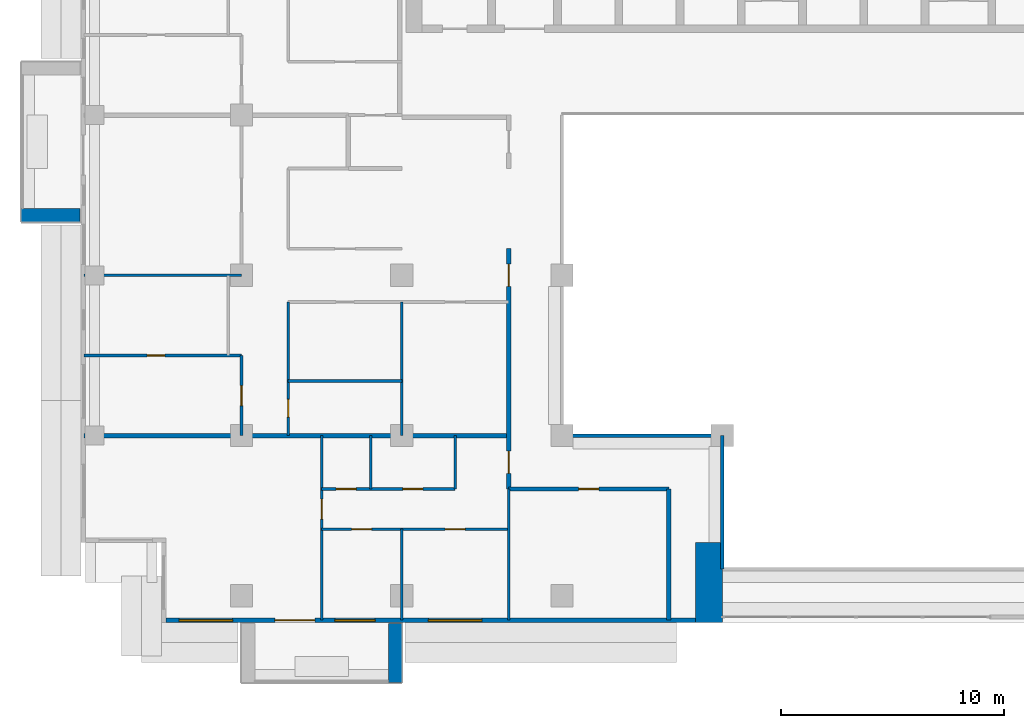
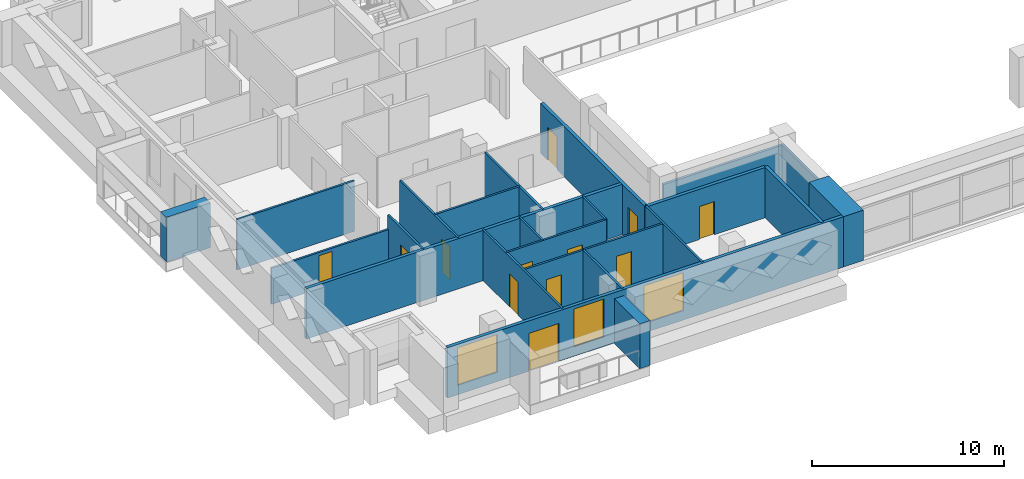
# One storey, part 6 of 20: 23 walls, 12 doors, 3 windows, 15 openings.
"""IFC4 building model written with IfcOpenShell, lengths in metres."""

from ifc_helpers import new_model, si_unit, direction, frame, frame_2d, origin, place, context, subcontext, project, spatial, rectangle, extrude, material, layer, layer_set, type_object, element, fill, save


model = new_model("IFC4")

# Units and contexts
model_context = context("Model", 3, precision=1e-05, world=origin(), true_north=direction((0.0, 1.0)))
body_context = subcontext(model_context, "Body", "Model", "MODEL_VIEW")
ifc_project = project(units=[si_unit("LENGTHUNIT", "METRE"), si_unit("AREAUNIT", "SQUARE_METRE"), si_unit("VOLUMEUNIT", "CUBIC_METRE"), si_unit("PLANEANGLEUNIT", "RADIAN"), si_unit("MASSUNIT", "GRAM", prefix="KILO")], contexts=[model_context])

# Site, building, storey
site_placement = place(None, origin())
site = spatial("IfcSite", under=ifc_project, at=site_placement, CompositionType="ELEMENT")
building_placement = place(site_placement, origin())
building = spatial("IfcBuilding", under=site, at=building_placement, Name="Saffron Iwan Residences", CompositionType="ELEMENT")
storey_placement = place(building_placement, frame((0.0, 0.0, 167.5)))
storey = spatial("IfcBuildingStorey", under=building, at=storey_placement, Name="L44", CompositionType="ELEMENT", Elevation=167.5)

# Walls
ifc_material_1 = material(Name="Fire-rated glazing", Category="glass")
ifc_layer_1 = layer(ifc_material_1, 0.14990234375)
ifc_layer_set_1 = layer_set([ifc_layer_1], Name="Fire-rated glazing")
wall_type_1 = type_object("IfcWallType", Name="Atrium glazed screen 150", PredefinedType="SOLIDWALL", material=ifc_layer_set_1)
wall_1_placement = place(storey_placement, frame((36.0, 48.0, 0.0), z_axis=(0.0, 0.0, 1.0), x_axis=(1.0, 0.0, 0.0)))
element("IfcWall", 1, at=wall_1_placement, inside=storey, type_object=wall_type_1, Name="W-L44-SCREEN-h48-36", PredefinedType="SOLIDWALL", context=body_context, shape_type="SweptSolid", body=[
    extrude(rectangle(XDim=7.199951171875, YDim=0.14990234375, at=frame_2d((3.60009765625, 0.0))), origin(), (0.0, 0.0, 1.0), 2.300048828125),
])
wall_2_placement = place(storey_placement, frame((43.199951171875, 42.0, 0.0), z_axis=(0.0, 0.0, 1.0), x_axis=(0.0, 1.0, 0.0)))
element("IfcWall", 2, at=wall_2_placement, inside=storey, type_object=wall_type_1, Name="W-L44-SCREEN-v43.2-42", PredefinedType="SOLIDWALL", context=body_context, shape_type="SweptSolid", body=[
    extrude(rectangle(XDim=6.0, YDim=0.14990234375, at=frame_2d((3.0, 0.0))), origin(), (0.0, 0.0, 1.0), 2.300048828125),
])
ifc_material_2 = material(Name="Concrete C50/60 white painted", Category="concrete")
ifc_layer_2 = layer(ifc_material_2, 0.60009765625)
ifc_layer_set_2 = layer_set([ifc_layer_2], Name="Concrete C50/60 white painted")
wall_type_2 = type_object("IfcWallType", Name="BALCONY FIN 600", PredefinedType="SOLIDWALL", material=ifc_layer_set_2)
for number, where, z_axis, x_axis, name in (
    (3, (14.35009765625, 57.89990234375, 0.0), (0.0, 0.0, 1.0), (-1.0, 0.0, 0.0), "Balcony fin L44 F8-0b"),
    (4, (28.5, 39.550048828125, 0.0), (0.0, 0.0, 1.0), (0.0, -1.0, 0.0), "Balcony fin L44 11-0b"),
):
    element("IfcWall", number, at=place(storey_placement, frame(where, z_axis=z_axis, x_axis=x_axis)), inside=storey, type_object=wall_type_2, Name=name, PredefinedType="SOLIDWALL", context=body_context, shape_type="SweptSolid", body=[
        extrude(rectangle(XDim=2.650146484375, YDim=0.60009765625, at=frame_2d((1.3251953125, 0.0))), origin(), (0.0, 0.0, 1.0), 2.85009765625),
    ])

# Wall, openings, door, windows
ifc_material_3 = material(Name="Concrete C40/50", Category="concrete")
ifc_layer_3 = layer(ifc_material_3, 0.199951171875)
ifc_layer_set_3 = layer_set([ifc_layer_3], Name="Concrete C40/50")
wall_type_3 = type_object("IfcWallType", Name="EXTERNAL WALL 200", PredefinedType="SOLIDWALL", material=ifc_layer_set_3)
wall_3_placement = place(storey_placement, frame((18.199951171875, 39.699951171875, 0.0), z_axis=(0.0, 0.0, 1.0), x_axis=(1.0, 0.0, 0.0)))
wall_3 = element("IfcWall", 5, at=wall_3_placement, inside=storey, type_object=wall_type_3, Name="External wall L44 F11.0", PredefinedType="SOLIDWALL", context=body_context, shape_type="SweptSolid", body=[
    extrude(rectangle(XDim=23.800048828125, YDim=0.199951171875, at=frame_2d((11.89990234375, 0.0))), origin(), (0.0, 0.0, 1.0), 3.199951171875),
])
opening_1_placement = place(wall_3_placement, frame((4.89990234375, 0.0, 0.0)))
opening_1 = element("IfcOpeningElement", 6, at=opening_1_placement, cuts=wall_3, Name="Opening BD1", PredefinedType="OPENING", context=body_context, shape_type="SweptSolid", body=[
    extrude(rectangle(XDim=1.800048828125, YDim=2.39990234375, at=frame_2d((0.89990234375, 1.199951171875))), frame((0.0, 0.10986328125, 0.0), z_axis=(0.0, -1.0, 0.0), x_axis=(1.0, 0.0, 0.0)), (0.0, 0.0, 1.0), 0.219970703125),
])
opening_2_placement = place(wall_3_placement, frame((0.60009765625, 0.0, 0.60009765625)))
opening_2 = element("IfcOpeningElement", 7, at=opening_2_placement, cuts=wall_3, Name="Opening W1", PredefinedType="OPENING", context=body_context, shape_type="SweptSolid", body=[
    extrude(rectangle(XDim=2.39990234375, YDim=2.39990234375, at=frame_2d((1.199951171875, 1.199951171875))), frame((0.0, 0.10986328125, 0.0), z_axis=(0.0, -1.0, 0.0), x_axis=(1.0, 0.0, 0.0)), (0.0, 0.0, 1.0), 0.219970703125),
])
opening_3_placement = place(wall_3_placement, frame((7.60009765625, 0.0, 0.60009765625)))
opening_3 = element("IfcOpeningElement", 8, at=opening_3_placement, cuts=wall_3, Name="Opening W8", PredefinedType="OPENING", context=body_context, shape_type="SweptSolid", body=[
    extrude(rectangle(XDim=1.800048828125, YDim=2.39990234375, at=frame_2d((0.89990234375, 1.199951171875))), frame((0.0, 0.10986328125, 0.0), z_axis=(0.0, -1.0, 0.0), x_axis=(1.0, 0.0, 0.0)), (0.0, 0.0, 1.0), 0.219970703125),
])
opening_4_placement = place(wall_3_placement, frame((11.800048828125, 0.0, 0.60009765625)))
opening_4 = element("IfcOpeningElement", 9, at=opening_4_placement, cuts=wall_3, Name="Opening W1", PredefinedType="OPENING", context=body_context, shape_type="SweptSolid", body=[
    extrude(rectangle(XDim=2.39990234375, YDim=2.39990234375, at=frame_2d((1.199951171875, 1.199951171875))), frame((0.0, 0.10986328125, 0.0), z_axis=(0.0, -1.0, 0.0), x_axis=(1.0, 0.0, 0.0)), (0.0, 0.0, 1.0), 0.219970703125),
])
ifc_material_4 = material(Name="Clear glass, laminated double glazed", Category="glass")
door_type_1 = type_object("IfcDoorType", Name="BALCONY DOOR 1800 x 2400", OperationType="DOUBLE_DOOR_SLIDING", PredefinedType="DOOR", material=ifc_material_4)
door_1_placement = place(opening_1_placement, origin())
door_1 = element("IfcDoor", 10, at=door_1_placement, inside=storey, type_object=door_type_1, Name="Balcony door L44 F11.0", OperationType="DOUBLE_DOOR_SLIDING", OverallHeight=2.39990234375, OverallWidth=1.800048828125, PredefinedType="DOOR", context=body_context, shape_type="SweptSolid", body=[
    extrude(rectangle(XDim=1.800048828125, YDim=2.39990234375, at=frame_2d((0.89990234375, 1.199951171875))), frame((0.0, 0.02490234375, 0.0), z_axis=(0.0, -1.0, 0.0), x_axis=(1.0, 0.0, 0.0)), (0.0, 0.0, 1.0), 0.050048828125),
])
fill(opening_1, door_1)
window_type_1 = type_object("IfcWindowType", Name="WINDOW 1800 x 2400", PartitioningType="DOUBLE_PANEL_VERTICAL", PredefinedType="WINDOW", material=ifc_material_4)
window_1_placement = place(opening_3_placement, origin())
window_1 = element("IfcWindow", 11, at=window_1_placement, inside=storey, type_object=window_type_1, Name="Window L44 F11.2", OverallHeight=2.39990234375, OverallWidth=1.800048828125, PartitioningType="DOUBLE_PANEL_VERTICAL", PredefinedType="WINDOW", context=body_context, shape_type="SweptSolid", body=[
    extrude(rectangle(XDim=1.800048828125, YDim=2.39990234375, at=frame_2d((0.89990234375, 1.199951171875))), frame((0.0, 0.030029296875, 0.0), z_axis=(0.0, -1.0, 0.0), x_axis=(1.0, 0.0, 0.0)), (0.0, 0.0, 1.0), 0.06005859375),
])
fill(opening_3, window_1)
window_type_2 = type_object("IfcWindowType", Name="WINDOW 2400 x 2400", PartitioningType="DOUBLE_PANEL_VERTICAL", PredefinedType="WINDOW", material=ifc_material_4)
window_2_placement = place(opening_2_placement, origin())
window_2 = element("IfcWindow", 12, at=window_2_placement, inside=storey, type_object=window_type_2, Name="Window L44 F11.1", OverallHeight=2.39990234375, OverallWidth=2.39990234375, PartitioningType="DOUBLE_PANEL_VERTICAL", PredefinedType="WINDOW", context=body_context, shape_type="SweptSolid", body=[
    extrude(rectangle(XDim=2.39990234375, YDim=2.39990234375, at=frame_2d((1.199951171875, 1.199951171875))), frame((0.0, 0.030029296875, 0.0), z_axis=(0.0, -1.0, 0.0), x_axis=(1.0, 0.0, 0.0)), (0.0, 0.0, 1.0), 0.06005859375),
])
fill(opening_2, window_2)
window_3_placement = place(opening_4_placement, origin())
window_3 = element("IfcWindow", 13, at=window_3_placement, inside=storey, type_object=window_type_2, Name="Window L44 F11.3", OverallHeight=2.39990234375, OverallWidth=2.39990234375, PartitioningType="DOUBLE_PANEL_VERTICAL", PredefinedType="WINDOW", context=body_context, shape_type="SweptSolid", body=[
    extrude(rectangle(XDim=2.39990234375, YDim=2.39990234375, at=frame_2d((1.199951171875, 1.199951171875))), frame((0.0, 0.030029296875, 0.0), z_axis=(0.0, -1.0, 0.0), x_axis=(1.0, 0.0, 0.0)), (0.0, 0.0, 1.0), 0.06005859375),
])
fill(opening_4, window_3)

# Wall
ifc_material_5 = material(Name="Fire-rated gypsum board wall")
ifc_layer_4 = layer(ifc_material_5, 0.199951171875)
ifc_layer_set_4 = layer_set([ifc_layer_4], Name="Fire-rated gypsum board wall")
wall_type_4 = type_object("IfcWallType", Name="Flat demising wall 200", PredefinedType="SOLIDWALL", material=ifc_layer_set_4)
wall_4_placement = place(storey_placement, frame((14.52490234375, 48.0, 0.0), z_axis=(0.0, 0.0, 1.0), x_axis=(1.0, 0.0, 0.0)))
element("IfcWall", 14, at=wall_4_placement, inside=storey, type_object=wall_type_4, Name="W-L44-DEMISE-h48-14.525", PredefinedType="SOLIDWALL", context=body_context, shape_type="SweptSolid", body=[
    extrude(rectangle(XDim=19.0751953125, YDim=0.199951171875, at=frame_2d((9.53759765625, 0.0))), origin(), (0.0, 0.0, 1.0), 3.199951171875),
])

# Wall, openings, doors
ifc_material_6 = material(Name="Gypsum board partition")
ifc_layer_5 = layer(ifc_material_6, 0.1201171875)
ifc_layer_set_5 = layer_set([ifc_layer_5], Name="Gypsum board partition")
wall_type_5 = type_object("IfcWallType", Name="Flat partition 120", PredefinedType="PARTITIONING", material=ifc_layer_set_5)
wall_5_placement = place(storey_placement, frame((25.199951171875, 43.800048828125, 0.0), z_axis=(0.0, 0.0, 1.0), x_axis=(1.0, 0.0, 0.0)))
wall_5 = element("IfcWall", 15, at=wall_5_placement, inside=storey, type_object=wall_type_5, Name="W-L44-PART-h43.8-25.2", PredefinedType="PARTITIONING", context=body_context, shape_type="SweptSolid", body=[
    extrude(rectangle(XDim=8.400146484375, YDim=0.1201171875, at=frame_2d((4.2001953125, 0.0))), origin(), (0.0, 0.0, 1.0), 3.199951171875),
])
opening_5_placement = place(wall_5_placement, frame((1.35009765625, 0.0, 0.0)))
opening_5 = element("IfcOpeningElement", 16, at=opening_5_placement, cuts=wall_5, Name="Opening FD2", PredefinedType="OPENING", context=body_context, shape_type="SweptSolid", body=[
    extrude(rectangle(XDim=0.89990234375, YDim=2.10009765625, at=frame_2d((0.449951171875, 1.050048828125))), frame((0.0, 0.070068359375, 0.0), z_axis=(0.0, -1.0, 0.0), x_axis=(1.0, 0.0, 0.0)), (0.0, 0.0, 1.0), 0.14013671875),
])
opening_6_placement = place(wall_5_placement, frame((5.550048828125, 0.0, 0.0)))
opening_6 = element("IfcOpeningElement", 17, at=opening_6_placement, cuts=wall_5, Name="Opening FD2", PredefinedType="OPENING", context=body_context, shape_type="SweptSolid", body=[
    extrude(rectangle(XDim=0.89990234375, YDim=2.10009765625, at=frame_2d((0.449951171875, 1.050048828125))), frame((0.0, 0.070068359375, 0.0), z_axis=(0.0, -1.0, 0.0), x_axis=(1.0, 0.0, 0.0)), (0.0, 0.0, 1.0), 0.14013671875),
])
ifc_material_7 = material(Name="Timber door", Category="wood")
door_type_2 = type_object("IfcDoorType", Name="Flat door 900", OperationType="NOTDEFINED", PredefinedType="DOOR", material=ifc_material_7)
door_2_placement = place(opening_5_placement, origin())
door_2 = element("IfcDoor", 18, at=door_2_placement, inside=storey, type_object=door_type_2, Name="Door L44-003", OperationType="SINGLE_SWING_LEFT", OverallHeight=2.10009765625, OverallWidth=0.89990234375, PredefinedType="DOOR", context=body_context, shape_type="SweptSolid", body=[
    extrude(rectangle(XDim=0.89990234375, YDim=2.10009765625, at=frame_2d((0.449951171875, 1.050048828125))), frame((0.0, 0.02490234375, 0.0), z_axis=(0.0, -1.0, 0.0), x_axis=(1.0, 0.0, 0.0)), (0.0, 0.0, 1.0), 0.050048828125),
])
fill(opening_5, door_2)
door_3_placement = place(opening_6_placement, origin())
door_3 = element("IfcDoor", 19, at=door_3_placement, inside=storey, type_object=door_type_2, Name="Door L44-004", OperationType="SINGLE_SWING_LEFT", OverallHeight=2.10009765625, OverallWidth=0.89990234375, PredefinedType="DOOR", context=body_context, shape_type="SweptSolid", body=[
    extrude(rectangle(XDim=0.89990234375, YDim=2.10009765625, at=frame_2d((0.449951171875, 1.050048828125))), frame((0.0, 0.02490234375, 0.0), z_axis=(0.0, -1.0, 0.0), x_axis=(1.0, 0.0, 0.0)), (0.0, 0.0, 1.0), 0.050048828125),
])
fill(opening_6, door_3)

wall_6_placement = place(storey_placement, frame((25.199951171875, 45.60009765625, 0.0), z_axis=(0.0, 0.0, 1.0), x_axis=(1.0, 0.0, 0.0)))
wall_6 = element("IfcWall", 20, at=wall_6_placement, inside=storey, type_object=wall_type_5, Name="W-L44-PART-h45.6-25.2", PredefinedType="PARTITIONING", context=body_context, shape_type="SweptSolid", body=[
    extrude(rectangle(XDim=6.0, YDim=0.1201171875, at=frame_2d((3.0, 0.0))), origin(), (0.0, 0.0, 1.0), 3.199951171875),
])
opening_7_placement = place(wall_6_placement, frame((0.64990234375, 0.0, 0.0)))
opening_7 = element("IfcOpeningElement", 21, at=opening_7_placement, cuts=wall_6, Name="Opening FD2", PredefinedType="OPENING", context=body_context, shape_type="SweptSolid", body=[
    extrude(rectangle(XDim=0.89990234375, YDim=2.10009765625, at=frame_2d((0.449951171875, 1.050048828125))), frame((0.0, 0.070068359375, 0.0), z_axis=(0.0, -1.0, 0.0), x_axis=(1.0, 0.0, 0.0)), (0.0, 0.0, 1.0), 0.14013671875),
])
opening_8_placement = place(wall_6_placement, frame((3.64990234375, 0.0, 0.0)))
opening_8 = element("IfcOpeningElement", 22, at=opening_8_placement, cuts=wall_6, Name="Opening FD2", PredefinedType="OPENING", context=body_context, shape_type="SweptSolid", body=[
    extrude(rectangle(XDim=0.89990234375, YDim=2.10009765625, at=frame_2d((0.449951171875, 1.050048828125))), frame((0.0, 0.070068359375, 0.0), z_axis=(0.0, -1.0, 0.0), x_axis=(1.0, 0.0, 0.0)), (0.0, 0.0, 1.0), 0.14013671875),
])
door_4_placement = place(opening_7_placement, origin())
door_4 = element("IfcDoor", 23, at=door_4_placement, inside=storey, type_object=door_type_2, Name="Door L44-005", OperationType="SINGLE_SWING_RIGHT", OverallHeight=2.10009765625, OverallWidth=0.89990234375, PredefinedType="DOOR", context=body_context, shape_type="SweptSolid", body=[
    extrude(rectangle(XDim=0.89990234375, YDim=2.10009765625, at=frame_2d((0.449951171875, 1.050048828125))), frame((0.0, 0.02490234375, 0.0), z_axis=(0.0, -1.0, 0.0), x_axis=(1.0, 0.0, 0.0)), (0.0, 0.0, 1.0), 0.050048828125),
])
fill(opening_7, door_4)
door_5_placement = place(opening_8_placement, origin())
door_5 = element("IfcDoor", 24, at=door_5_placement, inside=storey, type_object=door_type_2, Name="Door L44-006", OperationType="SINGLE_SWING_LEFT", OverallHeight=2.10009765625, OverallWidth=0.89990234375, PredefinedType="DOOR", context=body_context, shape_type="SweptSolid", body=[
    extrude(rectangle(XDim=0.89990234375, YDim=2.10009765625, at=frame_2d((0.449951171875, 1.050048828125))), frame((0.0, 0.02490234375, 0.0), z_axis=(0.0, -1.0, 0.0), x_axis=(1.0, 0.0, 0.0)), (0.0, 0.0, 1.0), 0.050048828125),
])
fill(opening_8, door_5)

# Wall
wall_7_placement = place(storey_placement, frame((23.699951171875, 50.449951171875, 0.0), z_axis=(0.0, 0.0, 1.0), x_axis=(1.0, 0.0, 0.0)))
element("IfcWall", 25, at=wall_7_placement, inside=storey, type_object=wall_type_5, Name="W-L44-PART-h50.45-23.7", PredefinedType="PARTITIONING", context=body_context, shape_type="SweptSolid", body=[
    extrude(rectangle(XDim=5.10009765625, YDim=0.1201171875, at=frame_2d((2.550048828125, 0.0))), origin(), (0.0, 0.0, 1.0), 3.199951171875),
])

# Wall, opening, door
wall_8_placement = place(storey_placement, frame((14.52490234375, 51.60009765625, 0.0), z_axis=(0.0, 0.0, 1.0), x_axis=(1.0, 0.0, 0.0)))
wall_8 = element("IfcWall", 26, at=wall_8_placement, inside=storey, type_object=wall_type_5, Name="W-L44-PART-h51.6-14.525", PredefinedType="PARTITIONING", context=body_context, shape_type="SweptSolid", body=[
    extrude(rectangle(XDim=7.0751953125, YDim=0.1201171875, at=frame_2d((3.53759765625, 0.0))), origin(), (0.0, 0.0, 1.0), 2.300048828125),
])
opening_9_placement = place(wall_8_placement, frame((2.83740234375, 0.0, 0.0)))
opening_9 = element("IfcOpeningElement", 27, at=opening_9_placement, cuts=wall_8, Name="Opening FD3", PredefinedType="OPENING", context=body_context, shape_type="SweptSolid", body=[
    extrude(rectangle(XDim=0.800048828125, YDim=2.10009765625, at=frame_2d((0.39990234375, 1.050048828125))), frame((0.0, 0.070068359375, 0.0), z_axis=(0.0, -1.0, 0.0), x_axis=(1.0, 0.0, 0.0)), (0.0, 0.0, 1.0), 0.14013671875),
])
door_type_3 = type_object("IfcDoorType", Name="Bathroom door 800", OperationType="NOTDEFINED", PredefinedType="DOOR", material=ifc_material_7)
door_6_placement = place(opening_9_placement, origin())
door_6 = element("IfcDoor", 28, at=door_6_placement, inside=storey, type_object=door_type_3, Name="Door L44-010", OperationType="SINGLE_SWING_LEFT", OverallHeight=2.10009765625, OverallWidth=0.800048828125, PredefinedType="DOOR", context=body_context, shape_type="SweptSolid", body=[
    extrude(rectangle(XDim=0.800048828125, YDim=2.10009765625, at=frame_2d((0.39990234375, 1.050048828125))), frame((0.0, 0.02490234375, 0.0), z_axis=(0.0, -1.0, 0.0), x_axis=(1.0, 0.0, 0.0)), (0.0, 0.0, 1.0), 0.050048828125),
])
fill(opening_9, door_6)

# Wall
wall_9_placement = place(storey_placement, frame((14.52490234375, 55.199951171875, 0.0), z_axis=(0.0, 0.0, 1.0), x_axis=(1.0, 0.0, 0.0)))
element("IfcWall", 29, at=wall_9_placement, inside=storey, type_object=wall_type_5, Name="W-L44-PART-h55.2-14.525", PredefinedType="PARTITIONING", context=body_context, shape_type="SweptSolid", body=[
    extrude(rectangle(XDim=7.0751953125, YDim=0.1201171875, at=frame_2d((3.53759765625, 0.0))), origin(), (0.0, 0.0, 1.0), 3.199951171875),
])

# Wall, opening, door
wall_10_placement = place(storey_placement, frame((21.60009765625, 48.0, 0.0), z_axis=(0.0, 0.0, 1.0), x_axis=(0.0, 1.0, 0.0)))
wall_10 = element("IfcWall", 30, at=wall_10_placement, inside=storey, type_object=wall_type_5, Name="W-L44-PART-v21.6-48", PredefinedType="PARTITIONING", context=body_context, shape_type="SweptSolid", body=[
    extrude(rectangle(XDim=3.60009765625, YDim=0.1201171875, at=frame_2d((1.800048828125, 0.0))), origin(), (0.0, 0.0, 1.0), 3.199951171875),
])
opening_10_placement = place(wall_10_placement, frame((1.35009765625, 0.0, 0.0)))
opening_10 = element("IfcOpeningElement", 31, at=opening_10_placement, cuts=wall_10, Name="Opening FD2", PredefinedType="OPENING", context=body_context, shape_type="SweptSolid", body=[
    extrude(rectangle(XDim=0.89990234375, YDim=2.10009765625, at=frame_2d((0.449951171875, 1.050048828125))), frame((0.0, 0.070068359375, 0.0), z_axis=(0.0, -1.0, 0.0), x_axis=(1.0, 0.0, 0.0)), (0.0, 0.0, 1.0), 0.14013671875),
])
door_7_placement = place(opening_10_placement, origin())
door_7 = element("IfcDoor", 32, at=door_7_placement, inside=storey, type_object=door_type_2, Name="Door L44-009", OperationType="SINGLE_SWING_LEFT", OverallHeight=2.10009765625, OverallWidth=0.89990234375, PredefinedType="DOOR", context=body_context, shape_type="SweptSolid", body=[
    extrude(rectangle(XDim=0.89990234375, YDim=2.10009765625, at=frame_2d((0.449951171875, 1.050048828125))), frame((0.0, 0.02490234375, 0.0), z_axis=(0.0, -1.0, 0.0), x_axis=(1.0, 0.0, 0.0)), (0.0, 0.0, 1.0), 0.050048828125),
])
fill(opening_10, door_7)

wall_11_placement = place(storey_placement, frame((23.699951171875, 48.0, 0.0), z_axis=(0.0, 0.0, 1.0), x_axis=(0.0, 1.0, 0.0)))
wall_11 = element("IfcWall", 33, at=wall_11_placement, inside=storey, type_object=wall_type_5, Name="W-L44-PART-v23.7-48", PredefinedType="PARTITIONING", context=body_context, shape_type="SweptSolid", body=[
    extrude(rectangle(XDim=6.0, YDim=0.1201171875, at=frame_2d((3.0, 0.0))), origin(), (0.0, 0.0, 1.0), 3.199951171875),
])
opening_11_placement = place(wall_11_placement, frame((0.824951171875, 0.0, 0.0)))
opening_11 = element("IfcOpeningElement", 34, at=opening_11_placement, cuts=wall_11, Name="Opening FD3", PredefinedType="OPENING", context=body_context, shape_type="SweptSolid", body=[
    extrude(rectangle(XDim=0.800048828125, YDim=2.10009765625, at=frame_2d((0.39990234375, 1.050048828125))), frame((0.0, 0.070068359375, 0.0), z_axis=(0.0, -1.0, 0.0), x_axis=(1.0, 0.0, 0.0)), (0.0, 0.0, 1.0), 0.14013671875),
])
door_8_placement = place(opening_11_placement, origin())
door_8 = element("IfcDoor", 35, at=door_8_placement, inside=storey, type_object=door_type_3, Name="Door L44-012", OperationType="SINGLE_SWING_LEFT", OverallHeight=2.10009765625, OverallWidth=0.800048828125, PredefinedType="DOOR", context=body_context, shape_type="SweptSolid", body=[
    extrude(rectangle(XDim=0.800048828125, YDim=2.10009765625, at=frame_2d((0.39990234375, 1.050048828125))), frame((0.0, 0.02490234375, 0.0), z_axis=(0.0, -1.0, 0.0), x_axis=(1.0, 0.0, 0.0)), (0.0, 0.0, 1.0), 0.050048828125),
])
fill(opening_11, door_8)

wall_12_placement = place(storey_placement, frame((25.199951171875, 39.72509765625, 0.0), z_axis=(0.0, 0.0, 1.0), x_axis=(0.0, 1.0, 0.0)))
wall_12 = element("IfcWall", 36, at=wall_12_placement, inside=storey, type_object=wall_type_5, Name="W-L44-PART-v25.2-39.725", PredefinedType="PARTITIONING", context=body_context, shape_type="SweptSolid", body=[
    extrude(rectangle(XDim=8.27490234375, YDim=0.1201171875, at=frame_2d((4.137451171875, 0.0))), origin(), (0.0, 0.0, 1.0), 3.199951171875),
])
opening_12_placement = place(wall_12_placement, frame((4.52490234375, 0.0, 0.0)))
opening_12 = element("IfcOpeningElement", 37, at=opening_12_placement, cuts=wall_12, Name="Opening FD2", PredefinedType="OPENING", context=body_context, shape_type="SweptSolid", body=[
    extrude(rectangle(XDim=0.89990234375, YDim=2.10009765625, at=frame_2d((0.449951171875, 1.050048828125))), frame((0.0, 0.070068359375, 0.0), z_axis=(0.0, -1.0, 0.0), x_axis=(1.0, 0.0, 0.0)), (0.0, 0.0, 1.0), 0.14013671875),
])
door_9_placement = place(opening_12_placement, origin())
door_9 = element("IfcDoor", 38, at=door_9_placement, inside=storey, type_object=door_type_2, Name="Door L44-002", OperationType="SINGLE_SWING_RIGHT", OverallHeight=2.10009765625, OverallWidth=0.89990234375, PredefinedType="DOOR", context=body_context, shape_type="SweptSolid", body=[
    extrude(rectangle(XDim=0.89990234375, YDim=2.10009765625, at=frame_2d((0.449951171875, 1.050048828125))), frame((0.0, 0.02490234375, 0.0), z_axis=(0.0, -1.0, 0.0), x_axis=(1.0, 0.0, 0.0)), (0.0, 0.0, 1.0), 0.050048828125),
])
fill(opening_12, door_9)

# Walls
wall_13_placement = place(storey_placement, frame((27.39990234375, 45.60009765625, 0.0), z_axis=(0.0, 0.0, 1.0), x_axis=(0.0, 1.0, 0.0)))
element("IfcWall", 39, at=wall_13_placement, inside=storey, type_object=wall_type_5, Name="W-L44-PART-v27.4-45.6", PredefinedType="PARTITIONING", context=body_context, shape_type="SweptSolid", body=[
    extrude(rectangle(XDim=2.39990234375, YDim=0.1201171875, at=frame_2d((1.199951171875, 0.0))), origin(), (0.0, 0.0, 1.0), 3.199951171875),
])
wall_14_placement = place(storey_placement, frame((28.800048828125, 39.72509765625, 0.0), z_axis=(0.0, 0.0, 1.0), x_axis=(0.0, 1.0, 0.0)))
element("IfcWall", 40, at=wall_14_placement, inside=storey, type_object=wall_type_5, Name="W-L44-PART-v28.8-39.725", PredefinedType="PARTITIONING", context=body_context, shape_type="SweptSolid", body=[
    extrude(rectangle(XDim=4.074951171875, YDim=0.1201171875, at=frame_2d((2.03759765625, 0.0))), origin(), (0.0, 0.0, 1.0), 3.199951171875),
])
wall_15_placement = place(storey_placement, frame((28.800048828125, 48.0, 0.0), z_axis=(0.0, 0.0, 1.0), x_axis=(0.0, 1.0, 0.0)))
element("IfcWall", 41, at=wall_15_placement, inside=storey, type_object=wall_type_5, Name="W-L44-PART-v28.8-48", PredefinedType="PARTITIONING", context=body_context, shape_type="SweptSolid", body=[
    extrude(rectangle(XDim=6.0, YDim=0.1201171875, at=frame_2d((3.0, 0.0))), origin(), (0.0, 0.0, 1.0), 3.199951171875),
])
wall_16_placement = place(storey_placement, frame((31.199951171875, 45.60009765625, 0.0), z_axis=(0.0, 0.0, 1.0), x_axis=(0.0, 1.0, 0.0)))
element("IfcWall", 42, at=wall_16_placement, inside=storey, type_object=wall_type_5, Name="W-L44-PART-v31.2-45.6", PredefinedType="PARTITIONING", context=body_context, shape_type="SweptSolid", body=[
    extrude(rectangle(XDim=2.39990234375, YDim=0.1201171875, at=frame_2d((1.199951171875, 0.0))), origin(), (0.0, 0.0, 1.0), 3.199951171875),
])
wall_17_placement = place(storey_placement, frame((33.60009765625, 39.72509765625, 0.0), z_axis=(0.0, 0.0, 1.0), x_axis=(0.0, 1.0, 0.0)))
element("IfcWall", 43, at=wall_17_placement, inside=storey, type_object=wall_type_5, Name="W-L44-PART-v33.6-39.725", PredefinedType="PARTITIONING", context=body_context, shape_type="SweptSolid", body=[
    extrude(rectangle(XDim=5.875, YDim=0.1201171875, at=frame_2d((2.9375, 0.0))), origin(), (0.0, 0.0, 1.0), 3.199951171875),
])

# Wall, opening, door
ifc_layer_6 = layer(ifc_material_5, 0.199951171875)
ifc_layer_set_6 = layer_set([ifc_layer_6], Name="Fire-rated gypsum board wall")
wall_type_6 = type_object("IfcWallType", Name="Gallery wall 200", PredefinedType="SOLIDWALL", material=ifc_layer_set_6)
wall_18_placement = place(storey_placement, frame((33.60009765625, 45.60009765625, 0.0), z_axis=(0.0, 0.0, 1.0), x_axis=(1.0, 0.0, 0.0)))
wall_18 = element("IfcWall", 44, at=wall_18_placement, inside=storey, type_object=wall_type_6, Name="W-L44-CORR-h45.6-33.6", PredefinedType="SOLIDWALL", context=body_context, shape_type="SweptSolid", body=[
    extrude(rectangle(XDim=7.199951171875, YDim=0.199951171875, at=frame_2d((3.60009765625, 0.0))), origin(), (0.0, 0.0, 1.0), 3.199951171875),
])
opening_13_placement = place(wall_18_placement, frame((3.14990234375, 0.0, 0.0)))
opening_13 = element("IfcOpeningElement", 45, at=opening_13_placement, cuts=wall_18, Name="Opening FD2", PredefinedType="OPENING", context=body_context, shape_type="SweptSolid", body=[
    extrude(rectangle(XDim=0.89990234375, YDim=2.10009765625, at=frame_2d((0.449951171875, 1.050048828125))), frame((0.0, 0.10986328125, 0.0), z_axis=(0.0, -1.0, 0.0), x_axis=(1.0, 0.0, 0.0)), (0.0, 0.0, 1.0), 0.219970703125),
])
door_10_placement = place(opening_13_placement, origin())
door_10 = element("IfcDoor", 46, at=door_10_placement, inside=storey, type_object=door_type_2, Name="Door L44-007", OperationType="SINGLE_SWING_LEFT", OverallHeight=2.10009765625, OverallWidth=0.89990234375, PredefinedType="DOOR", context=body_context, shape_type="SweptSolid", body=[
    extrude(rectangle(XDim=0.89990234375, YDim=2.10009765625, at=frame_2d((0.449951171875, 1.050048828125))), frame((0.0, 0.02490234375, 0.0), z_axis=(0.0, -1.0, 0.0), x_axis=(1.0, 0.0, 0.0)), (0.0, 0.0, 1.0), 0.050048828125),
])
fill(opening_13, door_10)

# Wall, openings, doors
wall_19_placement = place(storey_placement, frame((33.60009765625, 45.60009765625, 0.0), z_axis=(0.0, 0.0, 1.0), x_axis=(0.0, 1.0, 0.0)))
wall_19 = element("IfcWall", 47, at=wall_19_placement, inside=storey, type_object=wall_type_6, Name="W-L44-CORR-v33.6-45.6", PredefinedType="SOLIDWALL", context=body_context, shape_type="SweptSolid", body=[
    extrude(rectangle(XDim=10.7998046875, YDim=0.199951171875, at=frame_2d((5.39990234375, 0.0))), origin(), (0.0, 0.0, 1.0), 3.199951171875),
])
opening_14_placement = place(wall_19_placement, frame((0.699951171875, 0.0, 0.0)))
opening_14 = element("IfcOpeningElement", 48, at=opening_14_placement, cuts=wall_19, Name="Opening FD1", PredefinedType="OPENING", context=body_context, shape_type="SweptSolid", body=[
    extrude(rectangle(XDim=1.0, YDim=2.10009765625, at=frame_2d((0.5, 1.050048828125))), frame((0.0, 0.10986328125, 0.0), z_axis=(0.0, -1.0, 0.0), x_axis=(1.0, 0.0, 0.0)), (0.0, 0.0, 1.0), 0.219970703125),
])
opening_15_placement = place(wall_19_placement, frame((9.10009765625, 0.0, 0.0)))
opening_15 = element("IfcOpeningElement", 49, at=opening_15_placement, cuts=wall_19, Name="Opening FD1", PredefinedType="OPENING", context=body_context, shape_type="SweptSolid", body=[
    extrude(rectangle(XDim=1.0, YDim=2.10009765625, at=frame_2d((0.5, 1.050048828125))), frame((0.0, 0.10986328125, 0.0), z_axis=(0.0, -1.0, 0.0), x_axis=(1.0, 0.0, 0.0)), (0.0, 0.0, 1.0), 0.219970703125),
])
ifc_material_8 = material(Name="Fire-rated timber door", Category="wood")
door_type_4 = type_object("IfcDoorType", Name="FD30S flat entrance door 1000", OperationType="NOTDEFINED", PredefinedType="DOOR", material=ifc_material_8)
door_11_placement = place(opening_14_placement, origin())
door_11 = element("IfcDoor", 50, at=door_11_placement, inside=storey, type_object=door_type_4, Name="Door L44-001", OperationType="SINGLE_SWING_LEFT", OverallHeight=2.10009765625, OverallWidth=1.0, PredefinedType="DOOR", context=body_context, shape_type="SweptSolid", body=[
    extrude(rectangle(XDim=1.0, YDim=2.10009765625, at=frame_2d((0.5, 1.050048828125))), frame((0.0, 0.02490234375, 0.0), z_axis=(0.0, -1.0, 0.0), x_axis=(1.0, 0.0, 0.0)), (0.0, 0.0, 1.0), 0.050048828125),
])
fill(opening_14, door_11)
door_12_placement = place(opening_15_placement, origin())
door_12 = element("IfcDoor", 51, at=door_12_placement, inside=storey, type_object=door_type_4, Name="Door L44-008", OperationType="SINGLE_SWING_RIGHT", OverallHeight=2.10009765625, OverallWidth=1.0, PredefinedType="DOOR", context=body_context, shape_type="SweptSolid", body=[
    extrude(rectangle(XDim=1.0, YDim=2.10009765625, at=frame_2d((0.5, 1.050048828125))), frame((0.0, 0.02490234375, 0.0), z_axis=(0.0, -1.0, 0.0), x_axis=(1.0, 0.0, 0.0)), (0.0, 0.0, 1.0), 0.050048828125),
])
fill(opening_15, door_12)

# Walls
wall_20_placement = place(storey_placement, frame((40.800048828125, 39.72509765625, 0.0), z_axis=(0.0, 0.0, 1.0), x_axis=(0.0, 1.0, 0.0)))
element("IfcWall", 52, at=wall_20_placement, inside=storey, type_object=wall_type_6, Name="W-L44-CORR-v40.8-39.725", PredefinedType="SOLIDWALL", context=body_context, shape_type="SweptSolid", body=[
    extrude(rectangle(XDim=5.875, YDim=0.199951171875, at=frame_2d((2.9375, 0.0))), origin(), (0.0, 0.0, 1.0), 3.199951171875),
])
ifc_material_9 = material(Name="Concrete C50/60", Category="concrete")
ifc_layer_7 = layer(ifc_material_9, 1.199951171875)
ifc_layer_set_7 = layer_set([ifc_layer_7], Name="Concrete C50/60")
wall_type_7 = type_object("IfcWallType", Name="WALL IWAN PIER 1200 C50/60 3200 HIGH", PredefinedType="SHEAR", material=ifc_layer_set_7)
wall_21_placement = place(storey_placement, frame((42.60009765625, 39.60009765625, 0.0), z_axis=(0.0, 0.0, 1.0), x_axis=(0.0, 1.0, 0.0)))
element("IfcWall", 53, at=wall_21_placement, inside=storey, type_object=wall_type_7, Name="IWAN PIER", PredefinedType="SHEAR", context=body_context, shape_type="SweptSolid", body=[
    extrude(rectangle(XDim=3.599853515625, YDim=1.199951171875, at=frame_2d((1.7998046875, 0.0))), origin(), (0.0, 0.0, 1.0), 3.199951171875),
])

save(model, "model.ifc")
